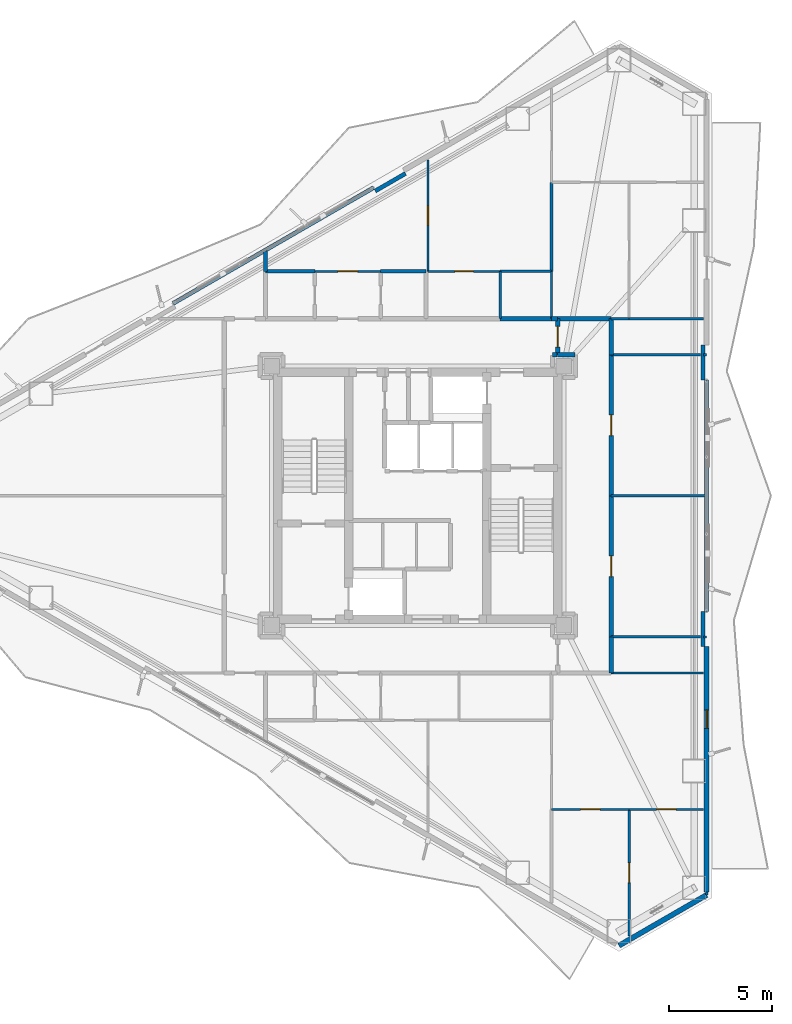
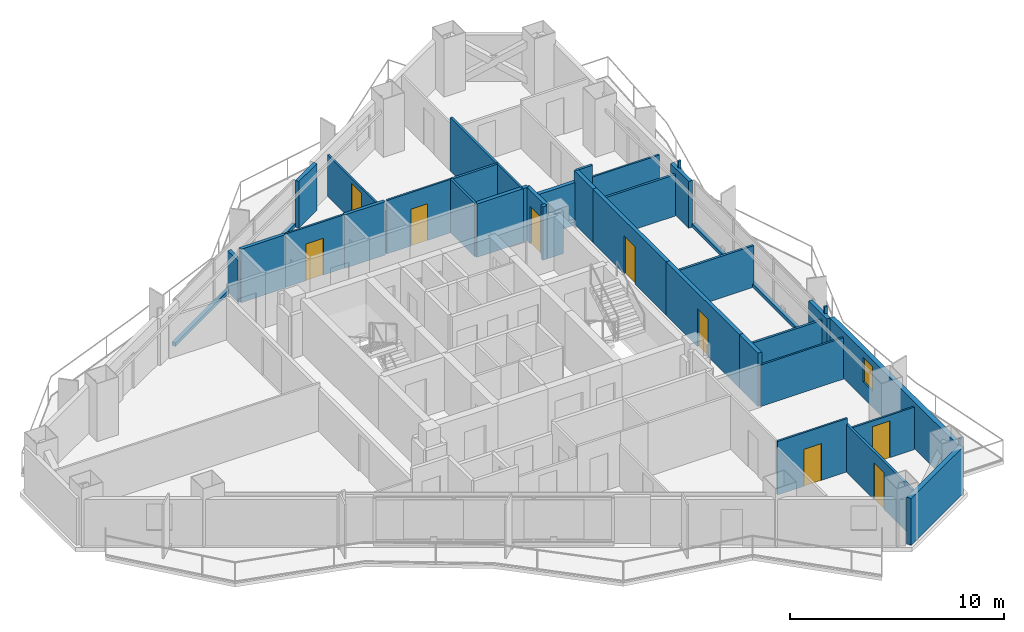
# One storey, part 18 of 22: 39 walls, 9 doors, 1 window, 10 openings.
"""IFC4 building model written with IfcOpenShell, lengths in metres."""

from ifc_helpers import new_model, si_unit, direction, frame, frame_2d, origin, place, context, subcontext, project, spatial, rectangle, extrude, material, layer, layer_set, type_object, element, fill, save


model = new_model("IFC4")

# Units and contexts
model_context = context("Model", 3, precision=1e-05, world=origin(), true_north=direction((0.0, 1.0)))
body_context = subcontext(model_context, "Body", "Model", "MODEL_VIEW")
ifc_project = project(units=[si_unit("LENGTHUNIT", "METRE"), si_unit("AREAUNIT", "SQUARE_METRE"), si_unit("VOLUMEUNIT", "CUBIC_METRE"), si_unit("PLANEANGLEUNIT", "RADIAN"), si_unit("MASSUNIT", "GRAM", prefix="KILO")], contexts=[model_context])

# Site, building, storey
site_placement = place(None, origin())
site = spatial("IfcSite", under=ifc_project, at=site_placement, CompositionType="ELEMENT")
building_placement = place(site_placement, origin())
building = spatial("IfcBuilding", under=site, at=building_placement, Name="Mersakhor Tower and Convention Hall", CompositionType="ELEMENT")
storey_placement = place(building_placement, frame((0.0, 0.0, 109.800048828125)))
storey = spatial("IfcBuildingStorey", under=building, at=storey_placement, Name="L30", CompositionType="ELEMENT", Elevation=109.800048828125)

# Wall
ifc_material_1 = material(Name="Precast concrete C40/50", Category="concrete")
ifc_layer_1 = layer(ifc_material_1, 0.25)
ifc_layer_set_1 = layer_set([ifc_layer_1], Name="Precast concrete C40/50")
wall_type_1 = type_object("IfcWallType", Name="WL-EXT-250", PredefinedType="SOLIDWALL", material=ifc_layer_set_1)
wall_1_placement = place(storey_placement, frame((43.03466796875, 7.355712890625, 0.0), z_axis=(0.0, 0.0, 1.0), x_axis=(-0.866011848704, -0.500023477353, 0.0)))
element("IfcWall", 1, at=wall_1_placement, inside=storey, type_object=wall_type_1, Name="L30 Chamfer Braced Spandrel Wall C2", PredefinedType="SOLIDWALL", context=body_context, shape_type="SweptSolid", body=[
    extrude(rectangle(XDim=4.914306640625, YDim=0.25, at=frame_2d((2.45703125, 0.0))), origin(), (0.0, 0.0, 1.0), 2.669921875),
])

# Wall, opening, window
wall_2_placement = place(storey_placement, frame((43.03466796875, 19.435302734375, 0.0), z_axis=(0.0, 0.0, 1.0), x_axis=(0.0, -1.0, 0.0)))
wall_2 = element("IfcWall", 2, at=wall_2_placement, inside=storey, type_object=wall_type_1, Name="L30 Exterior Facade Wall F2-B3", PredefinedType="SOLIDWALL", context=body_context, shape_type="SweptSolid", body=[
    extrude(rectangle(XDim=11.9296875, YDim=0.25, at=frame_2d((5.96484375, 0.0))), origin(), (0.0, 0.0, 1.0), 2.669921875),
])
opening_1_placement = place(wall_2_placement, frame((3.087890625, 0.0, 0.89990234375)))
opening_1 = element("IfcOpeningElement", 3, at=opening_1_placement, cuts=wall_2, Name="Opening W-06", PredefinedType="OPENING", context=body_context, shape_type="SweptSolid", body=[
    extrude(rectangle(XDim=0.89990234375, YDim=1.39990234375, at=frame_2d((0.449951171875, 0.699951171875))), frame((0.0, 0.135009765625, 0.0), z_axis=(0.0, -1.0, 0.0), x_axis=(1.0, 0.0, 0.0)), (0.0, 0.0, 1.0), 0.27001953125),
])
ifc_material_2 = material(Name="Dark solar low-E glazed aluminium window", Category="aluminium")
window_type = type_object("IfcWindowType", Name="WN-STD-090x140", PartitioningType="SINGLE_PANEL", PredefinedType="WINDOW", material=ifc_material_2)
window_placement = place(opening_1_placement, origin())
window = element("IfcWindow", 4, at=window_placement, inside=storey, type_object=window_type, Name="L30 Facade Punched Window F2-B3", OverallHeight=1.39990234375, OverallWidth=0.89990234375, PartitioningType="SINGLE_PANEL", PredefinedType="WINDOW", context=body_context, shape_type="SweptSolid", body=[
    extrude(rectangle(XDim=0.89990234375, YDim=1.39990234375, at=frame_2d((0.449951171875, 0.699951171875))), frame((0.0, 0.030029296875, 0.0), z_axis=(0.0, -1.0, 0.0), x_axis=(1.0, 0.0, 0.0)), (0.0, 0.0, 1.0), 0.06005859375),
])
fill(opening_1, window)

# Walls
ifc_material_3 = material(Name="Precast concrete C40/50", Category="concrete")
ifc_layer_2 = layer(ifc_material_3, 0.199951171875)
ifc_layer_set_2 = layer_set([ifc_layer_2], Name="Precast concrete C40/50")
wall_type_2 = type_object("IfcWallType", Name="WL-PAR-200", PredefinedType="PARAPET", material=ifc_layer_set_2)
wall_3_placement = place(storey_placement, frame((17.1201171875, 36.096923828125, 0.0), z_axis=(0.0, 0.0, 1.0), x_axis=(0.866027010039, 0.499997217876, 0.0)))
element("IfcWall", 5, at=wall_3_placement, inside=storey, type_object=wall_type_2, Name="L30 Curtain Wall Upstand Sill F1-B2", PredefinedType="PARAPET", context=body_context, shape_type="SweptSolid", body=[
    extrude(rectangle(XDim=11.2294921875, YDim=0.199951171875, at=frame_2d((5.61474609375, 0.0))), origin(), (0.0, 0.0, 1.0), 0.199951171875),
])
wall_4_placement = place(storey_placement, frame((26.935302734375, 41.555908203125, 0.0), z_axis=(0.0, 0.0, 1.0), x_axis=(0.86605165483, 0.499954529098, 0.0)))
element("IfcWall", 6, at=wall_4_placement, inside=storey, type_object=wall_type_2, Name="L30 Column Pier Cladding Wall F1-C2", PredefinedType="PARAPET", context=body_context, shape_type="SweptSolid", body=[
    extrude(rectangle(XDim=1.699951171875, YDim=0.199951171875, at=frame_2d((0.85009765625, 0.0))), origin(), (0.0, 0.0, 1.0), 2.669921875),
])
wall_5_placement = place(storey_placement, frame((43.03466796875, 32.36474609375, 0.0), z_axis=(0.0, 0.0, 1.0), x_axis=(0.0, -1.0, 0.0)))
element("IfcWall", 7, at=wall_5_placement, inside=storey, type_object=wall_type_2, Name="L30 Curtain Wall Upstand Sill F2-B2", PredefinedType="PARAPET", context=body_context, shape_type="SweptSolid", body=[
    extrude(rectangle(XDim=11.2294921875, YDim=0.199951171875, at=frame_2d((5.61474609375, 0.0))), origin(), (0.0, 0.0, 1.0), 0.199951171875),
])
for number, where, z_axis, x_axis, name in (
    (8, (42.8544921875, 34.064697265625, 0.0), (0.0, 0.0, 1.0), (0.0, -1.0, 0.0), "L30 Column Pier Cladding Wall F2-C1"),
    (9, (42.8544921875, 21.13525390625, 0.0), (0.0, 0.0, 1.0), (0.0, -1.0, 0.0), "L30 Column Pier Cladding Wall F2-C2"),
):
    element("IfcWall", number, at=place(storey_placement, frame(where, z_axis=z_axis, x_axis=x_axis)), inside=storey, type_object=wall_type_2, Name=name, PredefinedType="PARAPET", context=body_context, shape_type="SweptSolid", body=[
        extrude(rectangle(XDim=1.699951171875, YDim=0.199951171875, at=frame_2d((0.85009765625, 0.0))), origin(), (0.0, 0.0, 1.0), 2.669921875),
    ])
ifc_material_4 = material(Name="Moisture-resistant acoustic drywall studwork", Category="other")
ifc_layer_3 = layer(ifc_material_4, 0.175048828125)
ifc_layer_set_3 = layer_set([ifc_layer_3], Name="Moisture-resistant acoustic drywall studwork")
wall_type_3 = type_object("IfcWallType", Name="WL-PLM-175", PredefinedType="PLUMBINGWALL", material=ifc_layer_set_3)
wall_6_placement = place(storey_placement, frame((21.60009765625, 37.64990234375, 0.0), z_axis=(0.0, 0.0, 1.0), x_axis=(1.0, 0.0, 0.0)))
element("IfcWall", 10, at=wall_6_placement, inside=storey, type_object=wall_type_3, Name="L30 Interior Partition Wall P-066", PredefinedType="PLUMBINGWALL", context=body_context, shape_type="SweptSolid", body=[
    extrude(rectangle(XDim=2.39990234375, YDim=0.175048828125, at=frame_2d((1.199951171875, 0.0))), origin(), (0.0, 0.0, 1.0), 3.050048828125),
])
wall_7_placement = place(storey_placement, frame((27.199951171875, 37.64990234375, 0.0), z_axis=(0.0, 0.0, 1.0), x_axis=(1.0, 0.0, 0.0)))
element("IfcWall", 11, at=wall_7_placement, inside=storey, type_object=wall_type_3, Name="L30 Interior Partition Wall P-068", PredefinedType="PLUMBINGWALL", context=body_context, shape_type="SweptSolid", body=[
    extrude(rectangle(XDim=2.199951171875, YDim=0.175048828125, at=frame_2d((1.10009765625, 0.0))), origin(), (0.0, 0.0, 1.0), 3.050048828125),
])

# Wall, opening, door
ifc_material_5 = material(Name="Lightweight gypsum partition", Category="other")
ifc_layer_4 = layer(ifc_material_5, 0.10009765625)
ifc_layer_set_4 = layer_set([ifc_layer_4], Name="Lightweight gypsum partition")
wall_type_4 = type_object("IfcWallType", Name="WL-PRT-100", PredefinedType="PARTITIONING", material=ifc_layer_set_4)
wall_8_placement = place(storey_placement, frame((24.0, 37.64990234375, 0.0), z_axis=(0.0, 0.0, 1.0), x_axis=(1.0, 0.0, 0.0)))
wall_8 = element("IfcWall", 12, at=wall_8_placement, inside=storey, type_object=wall_type_4, Name="L30 Interior Partition Wall P-060", PredefinedType="PARTITIONING", context=body_context, shape_type="SweptSolid", body=[
    extrude(rectangle(XDim=3.199951171875, YDim=0.10009765625, at=frame_2d((1.60009765625, 0.0))), origin(), (0.0, 0.0, 1.0), 3.050048828125),
])
opening_2_placement = place(wall_8_placement, frame((1.125, 0.0, 0.0)))
opening_2 = element("IfcOpeningElement", 13, at=opening_2_placement, cuts=wall_8, Name="Opening RD-01", PredefinedType="OPENING", context=body_context, shape_type="SweptSolid", body=[
    extrude(rectangle(XDim=0.949951171875, YDim=2.10009765625, at=frame_2d((0.47509765625, 1.050048828125))), frame((0.0, 0.06005859375, 0.0), z_axis=(0.0, -1.0, 0.0), x_axis=(1.0, 0.0, 0.0)), (0.0, 0.0, 1.0), 0.1201171875),
])
ifc_material_6 = material(Name="Solid-core hardwood leaf in painted steel frame", Category="steel")
door_type_1 = type_object("IfcDoorType", Name="DR-INT-RM-095x210", OperationType="NOTDEFINED", PredefinedType="DOOR", material=ifc_material_6)
door_1_placement = place(opening_2_placement, origin())
door_1 = element("IfcDoor", 14, at=door_1_placement, inside=storey, type_object=door_type_1, Name="L30 L30 Flat N1 Apartment Hall to L30 Flat N1 Living and Dining Room Door", OperationType="SINGLE_SWING_LEFT", OverallHeight=2.10009765625, OverallWidth=0.949951171875, PredefinedType="DOOR", context=body_context, shape_type="SweptSolid", body=[
    extrude(rectangle(XDim=0.949951171875, YDim=2.10009765625, at=frame_2d((0.47509765625, 1.050048828125))), frame((0.0, 0.02490234375, 0.0), z_axis=(0.0, -1.0, 0.0), x_axis=(1.0, 0.0, 0.0)), (0.0, 0.0, 1.0), 0.050048828125),
])
fill(opening_2, door_1)

wall_9_placement = place(storey_placement, frame((29.5, 37.64990234375, 0.0), z_axis=(0.0, 0.0, 1.0), x_axis=(1.0, 0.0, 0.0)))
wall_9 = element("IfcWall", 15, at=wall_9_placement, inside=storey, type_object=wall_type_4, Name="L30 Interior Partition Wall P-070", PredefinedType="PARTITIONING", context=body_context, shape_type="SweptSolid", body=[
    extrude(rectangle(XDim=3.5, YDim=0.10009765625, at=frame_2d((1.75, 0.0))), origin(), (0.0, 0.0, 1.0), 3.050048828125),
])
opening_3_placement = place(wall_9_placement, frame((1.300048828125, 0.0, 0.0)))
opening_3 = element("IfcOpeningElement", 16, at=opening_3_placement, cuts=wall_9, Name="Opening WD-01", PredefinedType="OPENING", context=body_context, shape_type="SweptSolid", body=[
    extrude(rectangle(XDim=0.89990234375, YDim=2.10009765625, at=frame_2d((0.449951171875, 1.050048828125))), frame((0.0, 0.06005859375, 0.0), z_axis=(0.0, -1.0, 0.0), x_axis=(1.0, 0.0, 0.0)), (0.0, 0.0, 1.0), 0.1201171875),
])
ifc_material_7 = material(Name="Solid-core hardwood leaf in painted steel frame", Category="steel")
door_type_2 = type_object("IfcDoorType", Name="DR-INT-WET-090x210", OperationType="NOTDEFINED", PredefinedType="DOOR", material=ifc_material_7)
door_2_placement = place(opening_3_placement, origin())
door_2 = element("IfcDoor", 17, at=door_2_placement, inside=storey, type_object=door_type_2, Name="L30 L30 Flat N1 Kitchen to L30 Flat N1 Master Bedroom Door", OperationType="SINGLE_SWING_RIGHT", OverallHeight=2.10009765625, OverallWidth=0.89990234375, PredefinedType="DOOR", context=body_context, shape_type="SweptSolid", body=[
    extrude(rectangle(XDim=0.89990234375, YDim=2.10009765625, at=frame_2d((0.449951171875, 1.050048828125))), frame((0.0, 0.02490234375, 0.0), z_axis=(0.0, -1.0, 0.0), x_axis=(1.0, 0.0, 0.0)), (0.0, 0.0, 1.0), 0.050048828125),
])
fill(opening_3, door_2)

# Walls
wall_10_placement = place(storey_placement, frame((42.8896484375, 33.60009765625, 0.0), z_axis=(0.0, 0.0, 1.0), x_axis=(1.0, 0.0, 0.0)))
element("IfcWall", 18, at=wall_10_placement, inside=storey, type_object=wall_type_4, Name="L30 Interior Partition Wall P-086", PredefinedType="PARTITIONING", context=body_context, shape_type="SweptSolid", body=[
    extrude(rectangle(XDim=0.145263671875, YDim=0.10009765625, at=frame_2d((0.07275390625, 0.0))), origin(), (0.0, 0.0, 1.0), 3.050048828125),
])
wall_11_placement = place(storey_placement, frame((43.034912109375, 19.89990234375, 0.0), z_axis=(0.0, 0.0, 1.0), x_axis=(-1.0, 0.0, 0.0)))
element("IfcWall", 19, at=wall_11_placement, inside=storey, type_object=wall_type_4, Name="L30 Interior Partition Wall P-088", PredefinedType="PARTITIONING", context=body_context, shape_type="SweptSolid", body=[
    extrude(rectangle(XDim=0.160400390625, YDim=0.10009765625, at=frame_2d((0.080078125, 0.0))), origin(), (0.0, 0.0, 1.0), 3.050048828125),
])

# Wall, opening, door
wall_12_placement = place(storey_placement, frame((29.5, 43.072509765625, 0.0), z_axis=(0.0, 0.0, 1.0), x_axis=(0.0, -1.0, 0.0)))
wall_12 = element("IfcWall", 20, at=wall_12_placement, inside=storey, type_object=wall_type_4, Name="L30 Interior Partition Wall P-090", PredefinedType="PARTITIONING", context=body_context, shape_type="SweptSolid", body=[
    extrude(rectangle(XDim=5.422607421875, YDim=0.10009765625, at=frame_2d((2.71142578125, 0.0))), origin(), (0.0, 0.0, 1.0), 2.364990234375),
])
opening_4_placement = place(wall_12_placement, frame((2.236083984375, 0.0, 0.0)))
opening_4 = element("IfcOpeningElement", 21, at=opening_4_placement, cuts=wall_12, Name="Opening RD-01", PredefinedType="OPENING", context=body_context, shape_type="SweptSolid", body=[
    extrude(rectangle(XDim=0.949951171875, YDim=2.10009765625, at=frame_2d((0.47509765625, 1.050048828125))), frame((0.0, 0.06005859375, 0.0), z_axis=(0.0, -1.0, 0.0), x_axis=(1.0, 0.0, 0.0)), (0.0, 0.0, 1.0), 0.1201171875),
])
door_3_placement = place(opening_4_placement, origin())
door_3 = element("IfcDoor", 22, at=door_3_placement, inside=storey, type_object=door_type_1, Name="L30 L30 Flat N1 Living and Dining Room to L30 Flat N1 Master Bedroom Door", OperationType="SINGLE_SWING_RIGHT", OverallHeight=2.10009765625, OverallWidth=0.949951171875, PredefinedType="DOOR", context=body_context, shape_type="SweptSolid", body=[
    extrude(rectangle(XDim=0.949951171875, YDim=2.10009765625, at=frame_2d((0.47509765625, 1.050048828125))), frame((0.0, 0.02490234375, 0.0), z_axis=(0.0, -1.0, 0.0), x_axis=(1.0, 0.0, 0.0)), (0.0, 0.0, 1.0), 0.050048828125),
])
fill(opening_4, door_3)

# Walls
wall_13_placement = place(storey_placement, frame((35.5, 35.35009765625, 0.0), z_axis=(0.0, 0.0, 1.0), x_axis=(0.0, 1.0, 0.0)))
element("IfcWall", 23, at=wall_13_placement, inside=storey, type_object=wall_type_4, Name="L30 Interior Partition Wall P-094", PredefinedType="PARTITIONING", context=body_context, shape_type="SweptSolid", body=[
    extrude(rectangle(XDim=2.2998046875, YDim=0.10009765625, at=frame_2d((1.14990234375, 0.0))), origin(), (0.0, 0.0, 1.0), 3.050048828125),
])
wall_14_placement = place(storey_placement, frame((42.885498046875, 35.35009765625, 0.0), z_axis=(0.0, 0.0, 1.0), x_axis=(-1.0, 0.0, 0.0)))
element("IfcWall", 24, at=wall_14_placement, inside=storey, type_object=wall_type_4, Name="L30 Interior Partition Wall P-098", PredefinedType="PARTITIONING", context=body_context, shape_type="SweptSolid", body=[
    extrude(rectangle(XDim=3.615478515625, YDim=0.10009765625, at=frame_2d((1.8076171875, 0.0))), origin(), (0.0, 0.0, 1.0), 2.364990234375),
])

# Wall, opening, door
wall_15_placement = place(storey_placement, frame((35.5, 11.52001953125, 0.0), z_axis=(0.0, 0.0, 1.0), x_axis=(1.0, 0.0, 0.0)))
wall_15 = element("IfcWall", 25, at=wall_15_placement, inside=storey, type_object=wall_type_4, Name="L30 Interior Partition Wall P-106", PredefinedType="PARTITIONING", context=body_context, shape_type="SweptSolid", body=[
    extrude(rectangle(XDim=3.77001953125, YDim=0.10009765625, at=frame_2d((1.885009765625, 0.0))), origin(), (0.0, 0.0, 1.0), 3.050048828125),
])
opening_5_placement = place(wall_15_placement, frame((1.409912109375, 0.0, 0.0)))
opening_5 = element("IfcOpeningElement", 26, at=opening_5_placement, cuts=wall_15, Name="Opening RD-01", PredefinedType="OPENING", context=body_context, shape_type="SweptSolid", body=[
    extrude(rectangle(XDim=0.949951171875, YDim=2.10009765625, at=frame_2d((0.47509765625, 1.050048828125))), frame((0.0, 0.06005859375, 0.0), z_axis=(0.0, -1.0, 0.0), x_axis=(1.0, 0.0, 0.0)), (0.0, 0.0, 1.0), 0.1201171875),
])
door_4_placement = place(opening_5_placement, origin())
door_4 = element("IfcDoor", 27, at=door_4_placement, inside=storey, type_object=door_type_1, Name="L30 L30 Flat S2 Bedroom 2 to L30 Flat S2 Dining Room Door", OperationType="SINGLE_SWING_RIGHT", OverallHeight=2.10009765625, OverallWidth=0.949951171875, PredefinedType="DOOR", context=body_context, shape_type="SweptSolid", body=[
    extrude(rectangle(XDim=0.949951171875, YDim=2.10009765625, at=frame_2d((0.47509765625, 1.050048828125))), frame((0.0, 0.02490234375, 0.0), z_axis=(0.0, -1.0, 0.0), x_axis=(1.0, 0.0, 0.0)), (0.0, 0.0, 1.0), 0.050048828125),
])
fill(opening_5, door_4)

wall_16_placement = place(storey_placement, frame((39.27001953125, 11.52001953125, 0.0), z_axis=(0.0, 0.0, 1.0), x_axis=(1.0, 0.0, 0.0)))
wall_16 = element("IfcWall", 28, at=wall_16_placement, inside=storey, type_object=wall_type_4, Name="L30 Interior Partition Wall P-108", PredefinedType="PARTITIONING", context=body_context, shape_type="SweptSolid", body=[
    extrude(rectangle(XDim=3.615478515625, YDim=0.10009765625, at=frame_2d((1.8076171875, 0.0))), origin(), (0.0, 0.0, 1.0), 2.4228515625),
])
opening_6_placement = place(wall_16_placement, frame((1.332763671875, 0.0, 0.0)))
opening_6 = element("IfcOpeningElement", 29, at=opening_6_placement, cuts=wall_16, Name="Opening RD-01", PredefinedType="OPENING", context=body_context, shape_type="SweptSolid", body=[
    extrude(rectangle(XDim=0.949951171875, YDim=2.10009765625, at=frame_2d((0.47509765625, 1.050048828125))), frame((0.0, 0.06005859375, 0.0), z_axis=(0.0, -1.0, 0.0), x_axis=(1.0, 0.0, 0.0)), (0.0, 0.0, 1.0), 0.1201171875),
])
door_5_placement = place(opening_6_placement, origin())
door_5 = element("IfcDoor", 30, at=door_5_placement, inside=storey, type_object=door_type_1, Name="L30 L30 Flat S2 Study Room to L30 Flat S2 Dining Room Door", OperationType="SINGLE_SWING_LEFT", OverallHeight=2.10009765625, OverallWidth=0.949951171875, PredefinedType="DOOR", context=body_context, shape_type="SweptSolid", body=[
    extrude(rectangle(XDim=0.949951171875, YDim=2.10009765625, at=frame_2d((0.47509765625, 1.050048828125))), frame((0.0, 0.02490234375, 0.0), z_axis=(0.0, -1.0, 0.0), x_axis=(1.0, 0.0, 0.0)), (0.0, 0.0, 1.0), 0.050048828125),
])
fill(opening_6, door_5)

# Walls
wall_17_placement = place(storey_placement, frame((38.39990234375, 18.14990234375, 0.0), z_axis=(0.0, 0.0, 1.0), x_axis=(1.0, 0.0, 0.0)))
element("IfcWall", 31, at=wall_17_placement, inside=storey, type_object=wall_type_4, Name="L30 Interior Partition Wall P-110", PredefinedType="PARTITIONING", context=body_context, shape_type="SweptSolid", body=[
    extrude(rectangle(XDim=4.485595703125, YDim=0.10009765625, at=frame_2d((2.24267578125, 0.0))), origin(), (0.0, 0.0, 1.0), 2.364990234375),
])
ifc_material_8 = material(Name="Gypsum board acoustic partition", Category="other")
ifc_layer_5 = layer(ifc_material_8, 0.125)
ifc_layer_set_5 = layer_set([ifc_layer_5], Name="Gypsum board acoustic partition")
wall_type_5 = type_object("IfcWallType", Name="WL-PRT-125", PredefinedType="PARTITIONING", material=ifc_layer_set_5)
wall_18_placement = place(storey_placement, frame((33.0, 37.64990234375, 0.0), z_axis=(0.0, 0.0, 1.0), x_axis=(0.0, -1.0, 0.0)))
element("IfcWall", 32, at=wall_18_placement, inside=storey, type_object=wall_type_5, Name="L30 Interior Partition Wall P-071", PredefinedType="PARTITIONING", context=body_context, shape_type="SweptSolid", body=[
    extrude(rectangle(XDim=2.2998046875, YDim=0.125, at=frame_2d((1.14990234375, 0.0))), origin(), (0.0, 0.0, 1.0), 3.050048828125),
])
wall_19_placement = place(storey_placement, frame((38.39990234375, 33.60009765625, 0.0), z_axis=(0.0, 0.0, 1.0), x_axis=(1.0, 0.0, 0.0)))
element("IfcWall", 33, at=wall_19_placement, inside=storey, type_object=wall_type_5, Name="L30 Interior Partition Wall P-085", PredefinedType="PARTITIONING", context=body_context, shape_type="SweptSolid", body=[
    extrude(rectangle(XDim=4.330810546875, YDim=0.125, at=frame_2d((2.16552734375, 0.0))), origin(), (0.0, 0.0, 1.0), 2.364990234375),
])
wall_20_placement = place(storey_placement, frame((42.99853515625, 26.75, 0.0), z_axis=(0.0, 0.0, 1.0), x_axis=(-1.0, 0.0, 0.0)))
element("IfcWall", 34, at=wall_20_placement, inside=storey, type_object=wall_type_5, Name="L30 Interior Partition Wall P-087", PredefinedType="PARTITIONING", context=body_context, shape_type="SweptSolid", body=[
    extrude(rectangle(XDim=4.5986328125, YDim=0.125, at=frame_2d((2.29931640625, 0.0))), origin(), (0.0, 0.0, 1.0), 2.364990234375),
])
wall_21_placement = place(storey_placement, frame((42.730712890625, 19.89990234375, 0.0), z_axis=(0.0, 0.0, 1.0), x_axis=(-1.0, 0.0, 0.0)))
element("IfcWall", 35, at=wall_21_placement, inside=storey, type_object=wall_type_5, Name="L30 Interior Partition Wall P-089", PredefinedType="PARTITIONING", context=body_context, shape_type="SweptSolid", body=[
    extrude(rectangle(XDim=4.330810546875, YDim=0.125, at=frame_2d((2.16552734375, 0.0))), origin(), (0.0, 0.0, 1.0), 2.364990234375),
])
wall_22_placement = place(storey_placement, frame((35.5, 37.64990234375, 0.0), z_axis=(0.0, 0.0, 1.0), x_axis=(-1.0, 0.0, 0.0)))
element("IfcWall", 36, at=wall_22_placement, inside=storey, type_object=wall_type_5, Name="L30 Interior Partition Wall P-091", PredefinedType="PARTITIONING", context=body_context, shape_type="SweptSolid", body=[
    extrude(rectangle(XDim=2.5, YDim=0.125, at=frame_2d((1.25, 0.0))), origin(), (0.0, 0.0, 1.0), 3.050048828125),
])
wall_23_placement = place(storey_placement, frame((35.5, 41.97998046875, 0.0), z_axis=(0.0, 0.0, 1.0), x_axis=(0.0, -1.0, 0.0)))
element("IfcWall", 37, at=wall_23_placement, inside=storey, type_object=wall_type_5, Name="L30 Interior Partition Wall P-093", PredefinedType="PARTITIONING", context=body_context, shape_type="SweptSolid", body=[
    extrude(rectangle(XDim=4.330078125, YDim=0.125, at=frame_2d((2.1650390625, 0.0))), origin(), (0.0, 0.0, 1.0), 3.050048828125),
])
wall_24_placement = place(storey_placement, frame((39.27001953125, 35.35009765625, 0.0), z_axis=(0.0, 0.0, 1.0), x_axis=(-1.0, 0.0, 0.0)))
element("IfcWall", 38, at=wall_24_placement, inside=storey, type_object=wall_type_5, Name="L30 Interior Partition Wall P-097", PredefinedType="PARTITIONING", context=body_context, shape_type="SweptSolid", body=[
    extrude(rectangle(XDim=0.8701171875, YDim=0.125, at=frame_2d((0.43505859375, 0.0))), origin(), (0.0, 0.0, 1.0), 3.050048828125),
])

# Wall, opening, door
wall_25_placement = place(storey_placement, frame((39.27001953125, 11.52001953125, 0.0), z_axis=(0.0, 0.0, 1.0), x_axis=(0.0, -1.0, 0.0)))
wall_25 = element("IfcWall", 39, at=wall_25_placement, inside=storey, type_object=wall_type_5, Name="L30 Interior Partition Wall P-107", PredefinedType="PARTITIONING", context=body_context, shape_type="SweptSolid", body=[
    extrude(rectangle(XDim=6.165771484375, YDim=0.125, at=frame_2d((3.0830078125, 0.0))), origin(), (0.0, 0.0, 1.0), 2.71435546875),
])
opening_7_placement = place(wall_25_placement, frame((2.60791015625, 0.0, 0.0)))
opening_7 = element("IfcOpeningElement", 40, at=opening_7_placement, cuts=wall_25, Name="Opening RD-01", PredefinedType="OPENING", context=body_context, shape_type="SweptSolid", body=[
    extrude(rectangle(XDim=0.949951171875, YDim=2.10009765625, at=frame_2d((0.47509765625, 1.050048828125))), frame((0.0, 0.072509765625, 0.0), z_axis=(0.0, -1.0, 0.0), x_axis=(1.0, 0.0, 0.0)), (0.0, 0.0, 1.0), 0.14501953125),
])
door_6_placement = place(opening_7_placement, origin())
door_6 = element("IfcDoor", 41, at=door_6_placement, inside=storey, type_object=door_type_1, Name="L30 L30 Flat S2 Bedroom 2 to L30 Flat S2 Study Room Door", OperationType="SINGLE_SWING_LEFT", OverallHeight=2.10009765625, OverallWidth=0.949951171875, PredefinedType="DOOR", context=body_context, shape_type="SweptSolid", body=[
    extrude(rectangle(XDim=0.949951171875, YDim=2.10009765625, at=frame_2d((0.47509765625, 1.050048828125))), frame((0.0, 0.02490234375, 0.0), z_axis=(0.0, -1.0, 0.0), x_axis=(1.0, 0.0, 0.0)), (0.0, 0.0, 1.0), 0.050048828125),
])
fill(opening_7, door_6)

# Walls
wall_26_placement = place(storey_placement, frame((43.034912109375, 7.505615234375, 0.0), z_axis=(0.0, 0.0, 1.0), x_axis=(0.0, -1.0, 0.0)))
element("IfcWall", 42, at=wall_26_placement, inside=storey, type_object=wall_type_5, Name="L30 Interior Partition Wall P-109", PredefinedType="PARTITIONING", context=body_context, shape_type="SweptSolid", body=[
    extrude(rectangle(XDim=0.149658203125, YDim=0.125, at=frame_2d((0.07470703125, 0.0))), origin(), (0.0, 0.0, 1.0), 3.050048828125),
])
ifc_material_9 = material(Name="Acoustic concrete blockwork and gypsum board", Category="masonry")
ifc_layer_6 = layer(ifc_material_9, 0.199951171875)
ifc_layer_set_6 = layer_set([ifc_layer_6], Name="Acoustic concrete blockwork and gypsum board")
wall_type_6 = type_object("IfcWallType", Name="WL-PRT-200", PredefinedType="PARTITIONING", material=ifc_layer_set_6)
wall_27_placement = place(storey_placement, frame((33.0, 35.35009765625, 0.0), z_axis=(0.0, 0.0, 1.0), x_axis=(1.0, 0.0, 0.0)))
element("IfcWall", 43, at=wall_27_placement, inside=storey, type_object=wall_type_6, Name="L30 Interior Partition Wall P-037", PredefinedType="PARTITIONING", context=body_context, shape_type="SweptSolid", body=[
    extrude(rectangle(XDim=2.5, YDim=0.199951171875, at=frame_2d((1.25, 0.0))), origin(), (0.0, 0.0, 1.0), 3.050048828125),
])
wall_28_placement = place(storey_placement, frame((35.5, 35.35009765625, 0.0), z_axis=(0.0, 0.0, 1.0), x_axis=(1.0, 0.0, 0.0)))
element("IfcWall", 44, at=wall_28_placement, inside=storey, type_object=wall_type_6, Name="L30 Interior Partition Wall P-038", PredefinedType="PARTITIONING", context=body_context, shape_type="SweptSolid", body=[
    extrude(rectangle(XDim=0.300048828125, YDim=0.199951171875, at=frame_2d((0.14990234375, 0.0))), origin(), (0.0, 0.0, 1.0), 3.050048828125),
])

# Wall, opening, door
wall_29_placement = place(storey_placement, frame((35.800048828125, 35.35009765625, 0.0), z_axis=(0.0, 0.0, 1.0), x_axis=(0.0, -1.0, 0.0)))
wall_29 = element("IfcWall", 45, at=wall_29_placement, inside=storey, type_object=wall_type_6, Name="L30 Interior Partition Wall P-039", PredefinedType="PARTITIONING", context=body_context, shape_type="SweptSolid", body=[
    extrude(rectangle(XDim=1.75, YDim=0.199951171875, at=frame_2d((0.875, 0.0))), origin(), (0.0, 0.0, 1.0), 3.050048828125),
])
opening_8_placement = place(wall_29_placement, frame((0.375, 0.0, 0.0)))
opening_8 = element("IfcOpeningElement", 46, at=opening_8_placement, cuts=wall_29, Name="Opening FD-01", PredefinedType="OPENING", context=body_context, shape_type="SweptSolid", body=[
    extrude(rectangle(XDim=1.0, YDim=2.14990234375, at=frame_2d((0.5, 1.074951171875))), frame((0.0, 0.10986328125, 0.0), z_axis=(0.0, -1.0, 0.0), x_axis=(1.0, 0.0, 0.0)), (0.0, 0.0, 1.0), 0.219970703125),
])
ifc_material_10 = material(Name="Fire-rated hardwood leaf and painted steel frame", Category="steel")
door_type_3 = type_object("IfcDoorType", Name="DR-INT-FLT-100x215", OperationType="NOTDEFINED", PredefinedType="DOOR", material=ifc_material_10)
door_7_placement = place(opening_8_placement, origin())
door_7 = element("IfcDoor", 47, at=door_7_placement, inside=storey, type_object=door_type_3, Name="L30 Ring Corridor Fire Door", OperationType="SINGLE_SWING_RIGHT", OverallHeight=2.14990234375, OverallWidth=1.0, PredefinedType="DOOR", context=body_context, shape_type="SweptSolid", body=[
    extrude(rectangle(XDim=1.0, YDim=2.14990234375, at=frame_2d((0.5, 1.074951171875))), frame((0.0, 0.02490234375, 0.0), z_axis=(0.0, -1.0, 0.0), x_axis=(1.0, 0.0, 0.0)), (0.0, 0.0, 1.0), 0.050048828125),
])
fill(opening_8, door_7)

# Walls
wall_30_placement = place(storey_placement, frame((35.77001953125, 33.60009765625, 0.0), z_axis=(0.0, 0.0, 1.0), x_axis=(-1.0, 0.0, 0.0)))
element("IfcWall", 48, at=wall_30_placement, inside=storey, type_object=wall_type_6, Name="L30 Interior Partition Wall P-040", PredefinedType="PARTITIONING", context=body_context, shape_type="SweptSolid", body=[
    extrude(rectangle(XDim=0.219970703125, YDim=0.199951171875, at=frame_2d((0.10986328125, 0.0))), origin(), (0.0, 0.0, 1.0), 3.050048828125),
])
wall_31_placement = place(storey_placement, frame((36.64990234375, 33.60009765625, 0.0), z_axis=(0.0, 0.0, 1.0), x_axis=(-1.0, 0.0, 0.0)))
element("IfcWall", 49, at=wall_31_placement, inside=storey, type_object=wall_type_6, Name="L30 Interior Partition Wall P-051", PredefinedType="PARTITIONING", context=body_context, shape_type="SweptSolid", body=[
    extrude(rectangle(XDim=0.849853515625, YDim=0.199951171875, at=frame_2d((0.4248046875, 0.0))), origin(), (0.0, 0.0, 1.0), 2.4228515625),
])
wall_32_placement = place(storey_placement, frame((35.800048828125, 35.35009765625, 0.0), z_axis=(0.0, 0.0, 1.0), x_axis=(1.0, 0.0, 0.0)))
element("IfcWall", 50, at=wall_32_placement, inside=storey, type_object=wall_type_6, Name="L30 Interior Partition Wall P-052", PredefinedType="PARTITIONING", context=body_context, shape_type="SweptSolid", body=[
    extrude(rectangle(XDim=2.599853515625, YDim=0.199951171875, at=frame_2d((1.2998046875, 0.0))), origin(), (0.0, 0.0, 1.0), 2.4228515625),
])
wall_33_placement = place(storey_placement, frame((38.39990234375, 35.35009765625, 0.0), z_axis=(0.0, 0.0, 1.0), x_axis=(0.0, -1.0, 0.0)))
element("IfcWall", 51, at=wall_33_placement, inside=storey, type_object=wall_type_6, Name="L30 Interior Partition Wall P-053", PredefinedType="PARTITIONING", context=body_context, shape_type="SweptSolid", body=[
    extrude(rectangle(XDim=1.75, YDim=0.199951171875, at=frame_2d((0.875, 0.0))), origin(), (0.0, 0.0, 1.0), 3.050048828125),
])

# Wall, opening, door
wall_34_placement = place(storey_placement, frame((38.39990234375, 33.60009765625, 0.0), z_axis=(0.0, 0.0, 1.0), x_axis=(0.0, -1.0, 0.0)))
wall_34 = element("IfcWall", 52, at=wall_34_placement, inside=storey, type_object=wall_type_6, Name="L30 Interior Partition Wall P-054", PredefinedType="PARTITIONING", context=body_context, shape_type="SweptSolid", body=[
    extrude(rectangle(XDim=6.85009765625, YDim=0.199951171875, at=frame_2d((3.425048828125, 0.0))), origin(), (0.0, 0.0, 1.0), 3.050048828125),
])
opening_9_placement = place(wall_34_placement, frame((2.925048828125, 0.0, 0.0)))
opening_9 = element("IfcOpeningElement", 53, at=opening_9_placement, cuts=wall_34, Name="Opening FD-01", PredefinedType="OPENING", context=body_context, shape_type="SweptSolid", body=[
    extrude(rectangle(XDim=1.0, YDim=2.14990234375, at=frame_2d((0.5, 1.074951171875))), frame((0.0, 0.10986328125, 0.0), z_axis=(0.0, -1.0, 0.0), x_axis=(1.0, 0.0, 0.0)), (0.0, 0.0, 1.0), 0.219970703125),
])
door_8_placement = place(opening_9_placement, origin())
door_8 = element("IfcDoor", 54, at=door_8_placement, inside=storey, type_object=door_type_3, Name="L30 Residential Ring East Corridor to L30 East Wing Shared Laundry Room Door", OperationType="SINGLE_SWING_LEFT", OverallHeight=2.14990234375, OverallWidth=1.0, PredefinedType="DOOR", context=body_context, shape_type="SweptSolid", body=[
    extrude(rectangle(XDim=1.0, YDim=2.14990234375, at=frame_2d((0.5, 1.074951171875))), frame((0.0, 0.02490234375, 0.0), z_axis=(0.0, -1.0, 0.0), x_axis=(1.0, 0.0, 0.0)), (0.0, 0.0, 1.0), 0.050048828125),
])
fill(opening_9, door_8)

wall_35_placement = place(storey_placement, frame((38.39990234375, 26.75, 0.0), z_axis=(0.0, 0.0, 1.0), x_axis=(0.0, -1.0, 0.0)))
wall_35 = element("IfcWall", 55, at=wall_35_placement, inside=storey, type_object=wall_type_6, Name="L30 Interior Partition Wall P-055", PredefinedType="PARTITIONING", context=body_context, shape_type="SweptSolid", body=[
    extrude(rectangle(XDim=6.85009765625, YDim=0.199951171875, at=frame_2d((3.425048828125, 0.0))), origin(), (0.0, 0.0, 1.0), 3.050048828125),
])
opening_10_placement = place(wall_35_placement, frame((2.925048828125, 0.0, 0.0)))
opening_10 = element("IfcOpeningElement", 56, at=opening_10_placement, cuts=wall_35, Name="Opening FD-01", PredefinedType="OPENING", context=body_context, shape_type="SweptSolid", body=[
    extrude(rectangle(XDim=1.0, YDim=2.14990234375, at=frame_2d((0.5, 1.074951171875))), frame((0.0, 0.10986328125, 0.0), z_axis=(0.0, -1.0, 0.0), x_axis=(1.0, 0.0, 0.0)), (0.0, 0.0, 1.0), 0.219970703125),
])
door_9_placement = place(opening_10_placement, origin())
door_9 = element("IfcDoor", 57, at=door_9_placement, inside=storey, type_object=door_type_3, Name="L30 Residential Ring East Corridor to L30 East Wing Shared Tea Pantry Door", OperationType="SINGLE_SWING_RIGHT", OverallHeight=2.14990234375, OverallWidth=1.0, PredefinedType="DOOR", context=body_context, shape_type="SweptSolid", body=[
    extrude(rectangle(XDim=1.0, YDim=2.14990234375, at=frame_2d((0.5, 1.074951171875))), frame((0.0, 0.02490234375, 0.0), z_axis=(0.0, -1.0, 0.0), x_axis=(1.0, 0.0, 0.0)), (0.0, 0.0, 1.0), 0.050048828125),
])
fill(opening_10, door_9)

# Walls
wall_36_placement = place(storey_placement, frame((38.39990234375, 19.89990234375, 0.0), z_axis=(0.0, 0.0, 1.0), x_axis=(0.0, -1.0, 0.0)))
element("IfcWall", 58, at=wall_36_placement, inside=storey, type_object=wall_type_6, Name="L30 Interior Partition Wall P-056", PredefinedType="PARTITIONING", context=body_context, shape_type="SweptSolid", body=[
    extrude(rectangle(XDim=1.75, YDim=0.199951171875, at=frame_2d((0.875, 0.0))), origin(), (0.0, 0.0, 1.0), 3.050048828125),
])
wall_37_placement = place(storey_placement, frame((21.60009765625, 38.641845703125, 0.0), z_axis=(0.0, 0.0, 1.0), x_axis=(0.0, -1.0, 0.0)))
element("IfcWall", 59, at=wall_37_placement, inside=storey, type_object=wall_type_6, Name="L30 Interior Partition Wall P-078", PredefinedType="PARTITIONING", context=body_context, shape_type="SweptSolid", body=[
    extrude(rectangle(XDim=0.991943359375, YDim=0.199951171875, at=frame_2d((0.49609375, 0.0))), origin(), (0.0, 0.0, 1.0), 2.364990234375),
])

save(model, "model.ifc")
